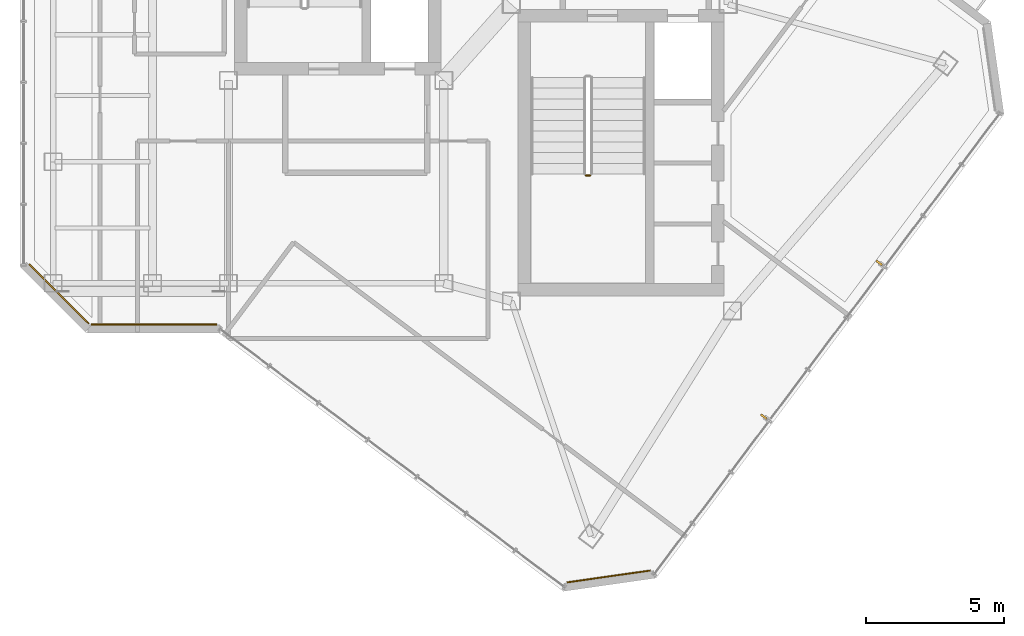
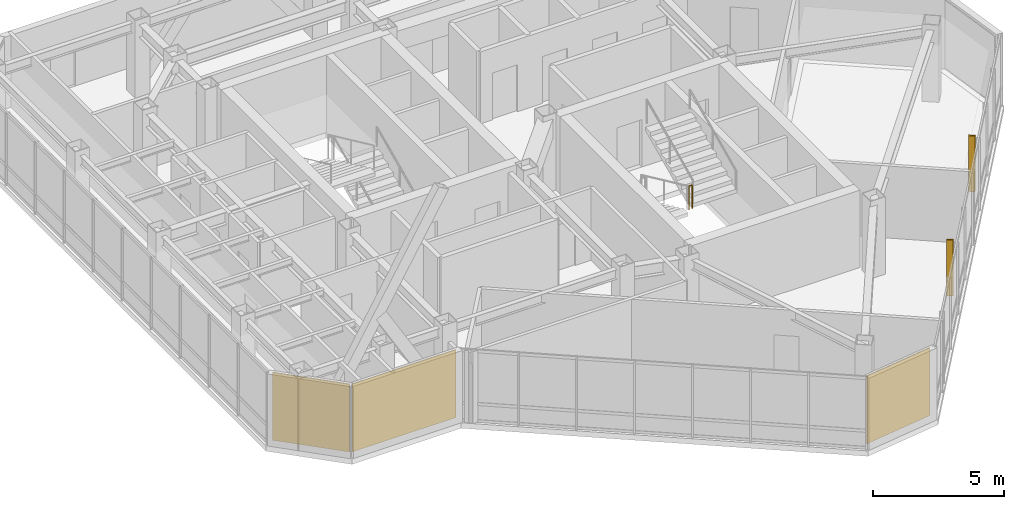
# One storey, part 20 of 22: 3 coverings, 2 shading devices, 1 railing.
"""IFC4 building model written with IfcOpenShell, lengths in metres."""

import ifcopenshell
import ifcopenshell.guid

model = None  # the IFC model being written
_history = None  # IfcOwnerHistory: only IFC2X3 demands one
_inside = {}  # id of a spatial element -> (the spatial element, [elements in it])
_under = {}  # id of a project, library or spatial element -> (it, [spatial elements below it])
_declared = {}  # id of a project -> (the project, [libraries it declares])
_typed = {}  # id of a type object -> (the type object, [elements of that type])
_made_of = {}  # id of a material, layer set ... -> (it, [elements and type objects made of it])


def new_model(schema):
    """Start an empty IFC model of exactly this schema.

    Asked for "IFC4X3", IfcOpenShell would pick the latest addendum, in which some entities
    have other attributes; the version numbers below select the first issue.
    IFC2X3 requires an IfcOwnerHistory on every rooted entity: one is made here for all.
    """
    global model, _history
    if schema == "IFC4X3":
        model = ifcopenshell.file(schema_version=(4, 3, 0, 0))
    else:
        model = ifcopenshell.file(schema=schema)
    _inside.clear()
    _under.clear()
    _declared.clear()
    _typed.clear()
    _made_of.clear()
    _history = None
    if model.schema == "IFC2X3":
        org = make("IfcOrganization", Name="unknown")
        user = make(
            "IfcPersonAndOrganization",
            ThePerson=make("IfcPerson", FamilyName="unknown"),
            TheOrganization=org,
        )
        app = make(
            "IfcApplication",
            ApplicationDeveloper=org,
            Version="unknown",
            ApplicationFullName="unknown",
            ApplicationIdentifier="unknown",
        )
        _history = make(
            "IfcOwnerHistory",
            OwningUser=user,
            OwningApplication=app,
            ChangeAction="ADDED",
            CreationDate=0,
        )
    return model


def make(cls, **values):
    """One entity of the class cls with the attributes given. An attribute that is None is left unset."""
    return model.create_entity(
        cls, **{name: value for name, value in values.items() if value is not None}
    )


def rooted(cls, **values):
    """An entity with a GlobalId (a new one), such as an element, a storey or a relation."""
    return make(cls, GlobalId=ifcopenshell.guid.new(), OwnerHistory=_history, **values)


def si_unit(unit_type, name, prefix=None):
    """IfcSIUnit, for example si_unit("LENGTHUNIT", "METRE", prefix="MILLI")."""
    return make("IfcSIUnit", UnitType=unit_type, Prefix=prefix, Name=name)


def assignment(units):
    """IfcUnitAssignment: the units of a project."""
    return None if units is None else make("IfcUnitAssignment", Units=units)


def point(xyz):
    """IfcCartesianPoint."""
    return None if xyz is None else make("IfcCartesianPoint", Coordinates=xyz)


def direction(xyz):
    """IfcDirection."""
    return None if xyz is None else make("IfcDirection", DirectionRatios=xyz)


def frame(location, z_axis=None, x_axis=None):
    """IfcAxis2Placement3D, a coordinate frame: its origin and axes. An axis left out is left unset."""
    return make(
        "IfcAxis2Placement3D",
        Location=point(location),
        Axis=direction(z_axis),
        RefDirection=direction(x_axis),
    )


def frame_2d(location, x_axis=None):
    """IfcAxis2Placement2D, a coordinate frame in the plane: its origin and x axis."""
    return make(
        "IfcAxis2Placement2D", Location=point(location), RefDirection=direction(x_axis)
    )


def origin():
    """The frame at (0, 0, 0) with its axes left unset."""
    return frame((0.0, 0.0, 0.0))


def origin_2d():
    """The frame at (0, 0) in the plane with its x axis left unset."""
    return frame_2d((0.0, 0.0))


def place(relative_to, where):
    """IfcLocalPlacement: puts the frame where relative to a parent placement (None: the world)."""
    return make(
        "IfcLocalPlacement", PlacementRelTo=relative_to, RelativePlacement=where
    )


def context(
    kind, dimensions, precision=None, world=None, true_north=None, identifier=None
):
    """IfcGeometricRepresentationContext, for example the 3D "Model" context."""
    return make(
        "IfcGeometricRepresentationContext",
        ContextIdentifier=identifier,
        ContextType=kind,
        CoordinateSpaceDimension=dimensions,
        Precision=precision,
        WorldCoordinateSystem=world,
        TrueNorth=true_north,
    )


def subcontext(parent, identifier, kind, view, scale=None):
    """IfcGeometricRepresentationSubContext, for example "Body" below "Model"."""
    return make(
        "IfcGeometricRepresentationSubContext",
        ContextIdentifier=identifier,
        ContextType=kind,
        ParentContext=parent,
        TargetScale=scale,
        TargetView=view,
    )


def project(units=None, contexts=None):
    """IfcProject with its units and contexts."""
    return rooted(
        "IfcProject",
        Name="project",
        RepresentationContexts=contexts,
        UnitsInContext=assignment(units),
    )


def spatial(cls, under=None, at=None, **own):
    """A site, building, storey or space (cls), placed at a placement, below another one or the project."""
    s = rooted(cls, ObjectPlacement=at, **own)
    if under is not None:
        _under.setdefault(under.id(), (under, []))[1].append(s)
    return s


def profile(cls, at=None, kind="AREA", **sizes):
    """A parametric profile (cls). Its sizes go by their IFC names, for example OverallWidth=200.0."""
    return make(cls, ProfileType=kind, Position=at, **sizes)


def rectangle(**sizes):
    """IfcRectangleProfileDef."""
    return profile("IfcRectangleProfileDef", **sizes)


def circle(**sizes):
    """IfcCircleProfileDef."""
    return profile("IfcCircleProfileDef", **sizes)


def extrude(swept, where, along, depth):
    """IfcExtrudedAreaSolid: the profile swept, set in the frame where, extruded along a direction by depth."""
    return make(
        "IfcExtrudedAreaSolid",
        SweptArea=swept,
        Position=where,
        ExtrudedDirection=direction(along),
        Depth=depth,
    )


def shape(context_of_items, identifier, shape_type, items):
    """IfcShapeRepresentation: the items that make up one representation, for example the "Body"."""
    return make(
        "IfcShapeRepresentation",
        ContextOfItems=context_of_items,
        RepresentationIdentifier=identifier,
        RepresentationType=shape_type,
        Items=items,
    )


def material(Name=None, Category=None):
    """IfcMaterial."""
    return make("IfcMaterial", Name=Name, Category=Category)


def layer(
    of_material, thickness, ventilated=None, Name=None, Category=None, Priority=None
):
    """IfcMaterialLayer: one layer of a wall or slab, of a material (None: an air gap)."""
    return make(
        "IfcMaterialLayer",
        Material=of_material,
        LayerThickness=thickness,
        IsVentilated=ventilated,
        Name=Name,
        Category=Category,
        Priority=Priority,
    )


def layer_set(layers, Name=None):
    """IfcMaterialLayerSet."""
    return make("IfcMaterialLayerSet", MaterialLayers=layers, LayerSetName=Name)


def made_of(thing, what):
    """Note that an element or type object is made of a material, layer set ...; save() writes the relation."""
    if what is not None:
        _made_of.setdefault(what.id(), (what, []))[1].append(thing)
    return thing


def type_object(cls, material=None, **own):
    """A type object (cls), such as IfcWallType, which elements share."""
    return made_of(rooted(cls, **own), material)


def element(
    cls,
    number,
    at=None,
    inside=None,
    cuts=None,
    type_object=None,
    material=None,
    context=None,
    identifier="Body",
    shape_type=None,
    held_by="IfcProductDefinitionShape",
    body=None,
    shapes=None,
    **own,
):
    """One element of the class cls, such as IfcWall. Its Tag is "e" and its number.

    at: its placement. inside: the storey or other place that contains it. cuts: it is an
    opening in that element (IfcRelVoidsElement). A single representation is given by context,
    identifier, shape_type and body (its items); several are given by shapes. held_by: the class
    of the entity that holds the representations. save() writes the other relations.
    """
    e = rooted(cls, Tag="e%d" % number, ObjectPlacement=at, **own)
    if body is not None:
        shapes = [shape(context, identifier, shape_type, body)]
    if shapes is not None:
        e.Representation = make(held_by, Representations=shapes)
    if inside is not None:
        _inside.setdefault(inside.id(), (inside, []))[1].append(e)
    if cuts is not None:
        rooted(
            "IfcRelVoidsElement", RelatingBuildingElement=cuts, RelatedOpeningElement=e
        )
    if type_object is not None:
        _typed.setdefault(type_object.id(), (type_object, []))[1].append(e)
    return made_of(e, material)


def aggregate(whole, parts):
    """IfcRelAggregates: a whole, such as a stair, and the parts it consists of."""
    return rooted("IfcRelAggregates", RelatingObject=whole, RelatedObjects=parts)


def save(model, path):
    """Write the relations noted so far, then the file.

    IfcRelAggregates (storeys below a building ...), IfcRelContainedInSpatialStructure (elements
    in a storey), IfcRelDefinesByType, IfcRelAssociatesMaterial and IfcRelDeclares: one each for
    every whole, place, type object, material and project.
    """
    for whole, parts in _under.values():
        aggregate(whole, parts)
    for where, things in _inside.values():
        rooted(
            "IfcRelContainedInSpatialStructure",
            RelatedElements=things,
            RelatingStructure=where,
        )
    for kind, things in _typed.values():
        rooted("IfcRelDefinesByType", RelatedObjects=things, RelatingType=kind)
    for what, things in _made_of.values():
        rooted("IfcRelAssociatesMaterial", RelatedObjects=things, RelatingMaterial=what)
    for by, libraries in _declared.values():
        rooted("IfcRelDeclares", RelatingContext=by, RelatedDefinitions=libraries)
    model.write(path)


model = new_model("IFC4")

# Units and contexts
model_context = context("Model", 3, precision=1e-05, world=origin(), true_north=direction((0.0, 1.0)))
body_context = subcontext(model_context, "Body", "Model", "MODEL_VIEW")
ifc_project = project(units=[si_unit("LENGTHUNIT", "METRE"), si_unit("AREAUNIT", "SQUARE_METRE"), si_unit("VOLUMEUNIT", "CUBIC_METRE"), si_unit("PLANEANGLEUNIT", "RADIAN"), si_unit("MASSUNIT", "GRAM", prefix="KILO")], contexts=[model_context])

# Site, building, storey
site_placement = place(None, origin())
site = spatial("IfcSite", under=ifc_project, at=site_placement, CompositionType="ELEMENT")
building_placement = place(site_placement, origin())
building = spatial("IfcBuilding", under=site, at=building_placement, Name="Hatsunagi Terrace Concourse", CompositionType="ELEMENT")
storey_placement = place(building_placement, frame((0.0, 0.0, 239.550048828125)))
storey = spatial("IfcBuildingStorey", under=building, at=storey_placement, Name="L63", CompositionType="ELEMENT", Elevation=239.550048828125)

# Railing
ifc_material_1 = material(Name="Stainless steel", Category="steel")
ifc_layer_1 = layer(ifc_material_1, 0.06005859375)
ifc_layer_set_1 = layer_set([ifc_layer_1], Name="StairWellGuard_Tower2000")
railing_type = type_object("IfcRailingType", Name="StairWellGuard_Tower2000", PredefinedType="BALUSTRADE", material=ifc_layer_set_1)
railing_placement = place(storey_placement, frame((38.5, 29.10009765625, 1.800048828125)))
element("IfcRailing", 1, at=railing_placement, inside=storey, type_object=railing_type, Name="L63 ST-B stair guard 2", PredefinedType="BALUSTRADE", context=body_context, shape_type="SweptSolid", body=[
    extrude(circle(Radius=0.02392578125, at=origin_2d()), frame((0.0, 0.0, 1.09619140625), z_axis=(1.0, 0.0, 0.0), x_axis=(0.0, 1.0, 0.0)), (0.0, 0.0, 1.0), 0.14990234375),
    extrude(circle(Radius=0.02099609375, at=origin_2d()), origin(), (0.0, 0.0, 1.0), 1.072021484375),
    extrude(circle(Radius=0.02099609375, at=origin_2d()), frame((0.14990234375, 0.0, 0.0)), (0.0, 0.0, 1.0), 1.072021484375),
])

# Shading devices
ifc_material_2 = material(Name="Extruded Unglazed Terracotta Baguette", Category="masonry")
shading_device_type = type_object("IfcShadingDeviceType", Name="TerracottaFinScreen_260x70", PredefinedType="USERDEFINED", material=ifc_material_2)
for number, where, z_axis, x_axis, name in (
    (2, (49.115966796875, 25.93896484375, 0.849853515625), (0.0, 0.0, 1.0), (-0.599969314634, -0.800023013105, 0.0), "Terracotta Baguette Fin Screen SCR-01"),
    (3, (44.93994140625, 20.368896484375, 0.849853515625), (0.0, 0.0, 1.0), (-0.599969314634, -0.800023013105, 0.0), "Terracotta Baguette Fin Screen SCR-01"),
):
    element("IfcShadingDevice", number, at=place(storey_placement, frame(where, z_axis=z_axis, x_axis=x_axis)), inside=storey, type_object=shading_device_type, Name=name, ObjectType="SUNSHADE", PredefinedType="USERDEFINED", context=body_context, shape_type="SweptSolid", body=[
        extrude(rectangle(XDim=0.070068359375, YDim=0.260009765625, at=origin_2d()), origin(), (0.0, 0.0, 1.0), 2.60009765625),
    ])

# Coverings
ifc_material_3 = material(Name="Unglazed Warm Terracotta Rainscreen Tile", Category="masonry")
ifc_layer_2 = layer(ifc_material_3, 0.044921875)
ifc_layer_set_2 = layer_set([ifc_layer_2], Name="TerracottaRainscreenCladding_45")
covering_type = type_object("IfcCoveringType", Name="TerracottaRainscreenCladding_45", PredefinedType="CLADDING", material=ifc_layer_set_2)
covering_1_placement = place(storey_placement, frame((39.318115234375, 14.5791015625, 0.10009765625), z_axis=(0.0, 0.0, 1.0), x_axis=(-0.989973920543, -0.141250262458, 0.0)))
element("IfcCovering", 4, at=covering_1_placement, inside=storey, type_object=covering_type, Name="Terracotta Rainscreen Cladding L63-04", PredefinedType="CLADDING", context=body_context, shape_type="SweptSolid", body=[
    extrude(rectangle(XDim=3.0380859375, YDim=0.044921875, at=origin_2d()), origin(), (0.0, 0.0, 1.0), 3.14990234375),
])
covering_2_placement = place(storey_placement, frame((22.85205078125, 23.701904296875, 0.10009765625), z_axis=(0.0, 0.0, 1.0), x_axis=(-1.0, 0.0, 0.0)))
element("IfcCovering", 5, at=covering_2_placement, inside=storey, type_object=covering_type, Name="Terracotta Rainscreen Cladding L63-06", PredefinedType="CLADDING", context=body_context, shape_type="SweptSolid", body=[
    extrude(rectangle(XDim=4.549072265625, YDim=0.044921875, at=origin_2d()), origin(), (0.0, 0.0, 1.0), 3.14990234375),
])
covering_3_placement = place(storey_placement, frame((19.4140625, 24.81396484375, 0.10009765625), z_axis=(0.0, 0.0, 1.0), x_axis=(-0.707106781187, 0.707106781187, 0.0)))
element("IfcCovering", 6, at=covering_3_placement, inside=storey, type_object=covering_type, Name="Terracotta Rainscreen Cladding L63-07", PredefinedType="CLADDING", context=body_context, shape_type="SweptSolid", body=[
    extrude(rectangle(XDim=3.0380859375, YDim=0.044921875, at=origin_2d()), origin(), (0.0, 0.0, 1.0), 3.14990234375),
])

save(model, "model.ifc")
